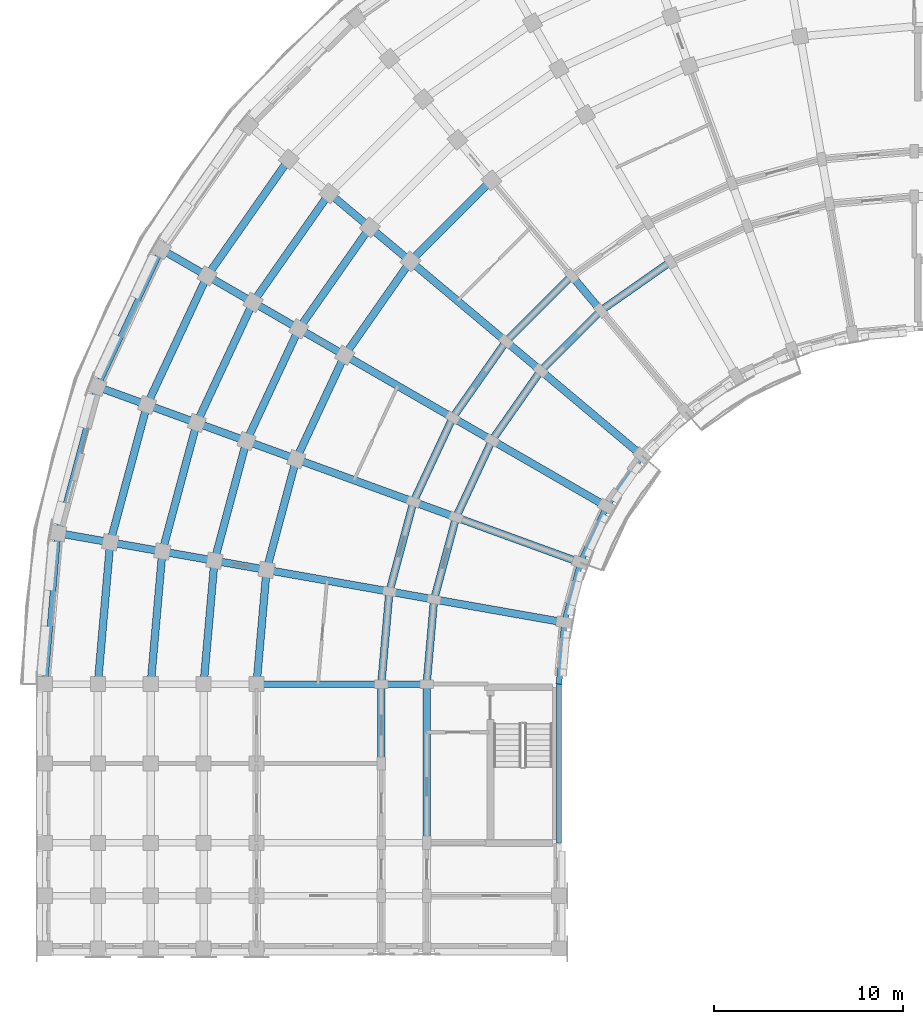
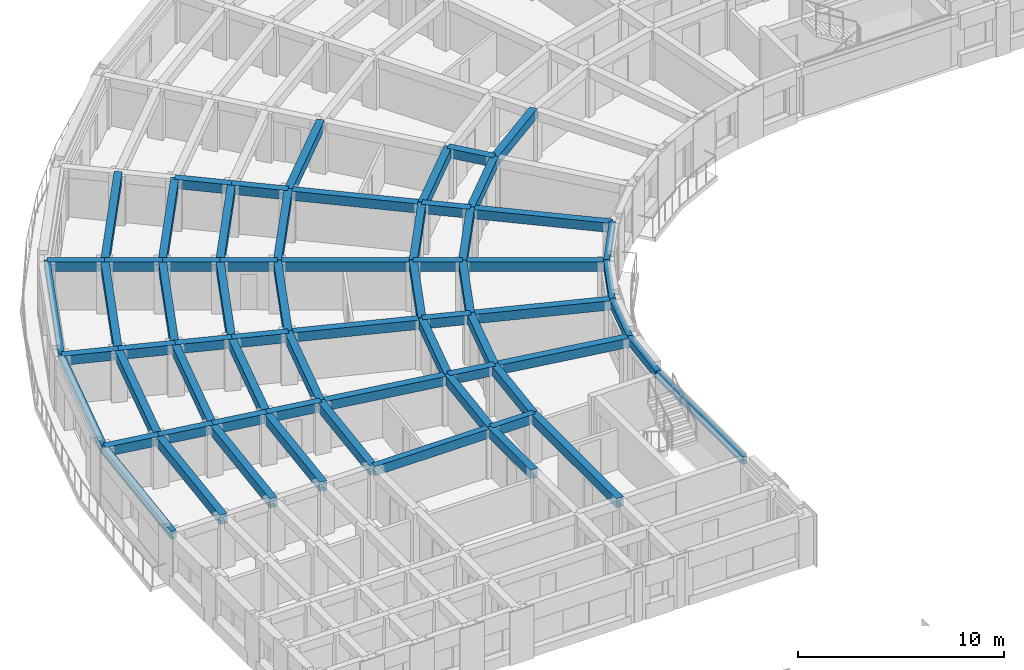
# One storey, part 7 of 54: 67 beams.
"""IFC4 building model written with IfcOpenShell, lengths in metres."""

from ifc_helpers import new_model, si_unit, direction, frame, origin, origin_2d, place, context, subcontext, project, spatial, rectangle, extrude, material, material_profile, profile_set, type_object, element, save


model = new_model("IFC4")

# Units and contexts
model_context = context("Model", 3, precision=1e-05, world=origin(), true_north=direction((0.0, 1.0)))
body_context = subcontext(model_context, "Body", "Model", "MODEL_VIEW")
ifc_project = project(units=[si_unit("LENGTHUNIT", "METRE"), si_unit("AREAUNIT", "SQUARE_METRE"), si_unit("VOLUMEUNIT", "CUBIC_METRE"), si_unit("PLANEANGLEUNIT", "RADIAN"), si_unit("MASSUNIT", "GRAM", prefix="KILO")], contexts=[model_context])

# Site, building, storey
site_placement = place(None, origin())
site = spatial("IfcSite", under=ifc_project, at=site_placement, CompositionType="ELEMENT")
building_placement = place(site_placement, origin())
building = spatial("IfcBuilding", under=site, at=building_placement, Name="Kiranvali Square Residences", CompositionType="ELEMENT")
storey_placement = place(building_placement, frame((0.0, 0.0, 15.0)))
storey = spatial("IfcBuildingStorey", under=building, at=storey_placement, Name="L04", CompositionType="ELEMENT", Elevation=15.0)

# Beams
ifc_material_1 = material(Name="Concrete M40 (40 MPa)", Category="concrete")
ifc_material_profile_1 = material_profile(ifc_material_1, rectangle(XDim=0.35009765625, YDim=0.550048828125, at=origin_2d()), Name="RC 350x550")
ifc_profile_set_1 = profile_set([ifc_material_profile_1], Name="Concrete M40 (40 MPa)")
beam_type_1 = type_object("IfcBeamType", Name="BM-M40-350x550", PredefinedType="BEAM", material=ifc_profile_set_1)
beam_1_placement = place(storey_placement, frame((22.39990234375, 87.800048828125, 2.655029296875), z_axis=(-1.0, 0.0, 0.0), x_axis=(0.0, -1.0, 0.0)))
element("IfcBeam", 1, at=beam_1_placement, inside=storey, type_object=beam_type_1, Name="L04 beam BM-A-L04-A2T0-12", PredefinedType="BEAM", context=body_context, shape_type="SweptSolid", body=[
    extrude(rectangle(XDim=0.35009765625, YDim=0.550048828125, at=origin_2d()), origin(), (0.0, 0.0, 1.0), 2.39990234375),
])
beam_2_placement = place(storey_placement, frame((20.0, 87.800048828125, 2.655029296875), z_axis=(-1.0, 0.0, 0.0), x_axis=(0.0, -1.0, 0.0)))
element("IfcBeam", 2, at=beam_2_placement, inside=storey, type_object=beam_type_1, Name="L04 beam BM-A-L04-A2T0-23", PredefinedType="BEAM", context=body_context, shape_type="SweptSolid", body=[
    extrude(rectangle(XDim=0.35009765625, YDim=0.550048828125, at=origin_2d()), origin(), (0.0, 0.0, 1.0), 6.60009765625),
])
ifc_material_2 = material(Name="Concrete M45 (45 MPa)", Category="concrete")
ifc_material_profile_2 = material_profile(ifc_material_2, rectangle(XDim=0.39990234375, YDim=0.550048828125, at=origin_2d()), Name="RC 400x550")
ifc_profile_set_2 = profile_set([ifc_material_profile_2], Name="Concrete M45 (45 MPa)")
beam_type_2 = type_object("IfcBeamType", Name="BM-M45-400x550", PredefinedType="BEAM", material=ifc_profile_set_2)
beam_3_placement = place(storey_placement, frame((35.300048828125, 110.1435546875, 2.655029296875), z_axis=(-0.819155404658, -0.573571637217, 0.0), x_axis=(0.573571637217, -0.819155404658, 0.0)))
element("IfcBeam", 3, at=beam_3_placement, inside=storey, type_object=beam_type_2, Name="L04 beam BM-A-L04-C03-R1", PredefinedType="BEAM", context=body_context, shape_type="SweptSolid", body=[
    extrude(rectangle(XDim=0.39990234375, YDim=0.550048828125, at=origin_2d()), origin(), (0.0, 0.0, 1.0), 4.497314453125),
])
beam_4_placement = place(storey_placement, frame((31.615966796875, 107.56396484375, 2.655029296875), z_axis=(-0.707106781187, -0.707106781187, 0.0), x_axis=(0.707106781187, -0.707106781187, 0.0)))
element("IfcBeam", 4, at=beam_4_placement, inside=storey, type_object=beam_type_2, Name="L04 beam BM-A-L04-C04-R1", PredefinedType="BEAM", context=body_context, shape_type="SweptSolid", body=[
    extrude(rectangle(XDim=0.39990234375, YDim=0.550048828125, at=origin_2d()), origin(), (0.0, 0.0, 1.0), 4.4970703125),
])
beam_5_placement = place(storey_placement, frame((30.073486328125, 109.40234375, 2.655029296875), z_axis=(-0.707106781187, -0.707106781187, 0.0), x_axis=(0.707106781187, -0.707106781187, 0.0)))
element("IfcBeam", 5, at=beam_5_placement, inside=storey, type_object=beam_type_2, Name="L04 beam BM-A-L04-C04-R2", PredefinedType="BEAM", context=body_context, shape_type="SweptSolid", body=[
    extrude(rectangle(XDim=0.39990234375, YDim=0.550048828125, at=origin_2d()), origin(), (0.0, 0.0, 1.0), 4.91552734375),
])
beam_6_placement = place(storey_placement, frame((25.8310546875, 114.458251953125, 2.655029296875), z_axis=(-0.707106781187, -0.707106781187, 0.0), x_axis=(0.707106781187, -0.707106781187, 0.0)))
element("IfcBeam", 6, at=beam_6_placement, inside=storey, type_object=beam_type_2, Name="L04 beam BM-A-L04-C04-R3", PredefinedType="BEAM", context=body_context, shape_type="SweptSolid", body=[
    extrude(rectangle(XDim=0.39990234375, YDim=0.550048828125, at=origin_2d()), origin(), (0.0, 0.0, 1.0), 6.06591796875),
])
beam_7_placement = place(storey_placement, frame((28.43603515625, 104.384033203125, 2.655029296875), z_axis=(-0.573571637217, -0.819155404658, 0.0), x_axis=(0.819155404658, -0.573571637217, 0.0)))
element("IfcBeam", 7, at=beam_7_placement, inside=storey, type_object=beam_type_2, Name="L04 beam BM-A-L04-C05-R1", PredefinedType="BEAM", context=body_context, shape_type="SweptSolid", body=[
    extrude(rectangle(XDim=0.39990234375, YDim=0.550048828125, at=origin_2d()), origin(), (0.0, 0.0, 1.0), 4.497314453125),
])
beam_8_placement = place(storey_placement, frame((26.59765625, 105.926513671875, 2.655029296875), z_axis=(-0.573592335331, -0.819140911474, 0.0), x_axis=(0.819140911474, -0.573592335331, 0.0)))
element("IfcBeam", 8, at=beam_8_placement, inside=storey, type_object=beam_type_2, Name="L04 beam BM-A-L04-C05-R2", PredefinedType="BEAM", context=body_context, shape_type="SweptSolid", body=[
    extrude(rectangle(XDim=0.39990234375, YDim=0.550048828125, at=origin_2d()), origin(), (0.0, 0.0, 1.0), 4.915771484375),
])
beam_9_placement = place(storey_placement, frame((21.541748046875, 110.1689453125, 2.655029296875), z_axis=(-0.573594691504, -0.81913926159, 0.0), x_axis=(0.81913926159, -0.573594691504, 0.0)))
element("IfcBeam", 9, at=beam_9_placement, inside=storey, type_object=beam_type_2, Name="L04 beam BM-A-L04-C05-R3", PredefinedType="BEAM", context=body_context, shape_type="SweptSolid", body=[
    extrude(rectangle(XDim=0.39990234375, YDim=0.550048828125, at=origin_2d()), origin(), (0.0, 0.0, 1.0), 6.066162109375),
])
beam_10_placement = place(storey_placement, frame((19.396728515625, 111.96875, 2.655029296875), z_axis=(-0.573587340268, -0.819144409176, 0.0), x_axis=(0.819144409176, -0.573587340268, 0.0)))
element("IfcBeam", 10, at=beam_10_placement, inside=storey, type_object=beam_type_2, Name="L04 beam BM-A-L04-C05-R4", PredefinedType="BEAM", context=body_context, shape_type="SweptSolid", body=[
    extrude(rectangle(XDim=0.39990234375, YDim=0.550048828125, at=origin_2d()), origin(), (0.0, 0.0, 1.0), 6.553955078125),
])
beam_11_placement = place(storey_placement, frame((17.251708984375, 113.7685546875, 2.655029296875), z_axis=(-0.57356471828, -0.819160249246, 0.0), x_axis=(0.819160249246, -0.57356471828, 0.0)))
element("IfcBeam", 11, at=beam_11_placement, inside=storey, type_object=beam_type_2, Name="L04 beam BM-A-L04-C05-R5", PredefinedType="BEAM", context=body_context, shape_type="SweptSolid", body=[
    extrude(rectangle(XDim=0.39990234375, YDim=0.550048828125, at=origin_2d()), origin(), (0.0, 0.0, 1.0), 7.0419921875),
])
beam_12_placement = place(storey_placement, frame((15.10693359375, 115.568359375, 2.655029296875), z_axis=(-0.573588539275, -0.819143569597, 0.0), x_axis=(0.819143569597, -0.573588539275, 0.0)))
element("IfcBeam", 12, at=beam_12_placement, inside=storey, type_object=beam_type_2, Name="L04 beam BM-A-L04-C05-R6", PredefinedType="BEAM", context=body_context, shape_type="SweptSolid", body=[
    extrude(rectangle(XDim=0.39990234375, YDim=0.550048828125, at=origin_2d()), origin(), (0.0, 0.0, 1.0), 7.5302734375),
])
beam_13_placement = place(storey_placement, frame((25.8564453125, 100.699951171875, 2.655029296875), z_axis=(-0.422617978463, -0.906307919131, 0.0), x_axis=(0.906307919131, -0.422617978463, 0.0)))
element("IfcBeam", 13, at=beam_13_placement, inside=storey, type_object=beam_type_2, Name="L04 beam BM-A-L04-C06-R1", PredefinedType="BEAM", context=body_context, shape_type="SweptSolid", body=[
    extrude(rectangle(XDim=0.39990234375, YDim=0.550048828125, at=origin_2d()), origin(), (0.0, 0.0, 1.0), 4.497314453125),
])
beam_14_placement = place(storey_placement, frame((23.778076171875, 101.89990234375, 2.655029296875), z_axis=(-0.422629854778, -0.906302381024, 0.0), x_axis=(0.906302381024, -0.422629854778, 0.0)))
element("IfcBeam", 14, at=beam_14_placement, inside=storey, type_object=beam_type_2, Name="L04 beam BM-A-L04-C06-R2", PredefinedType="BEAM", context=body_context, shape_type="SweptSolid", body=[
    extrude(rectangle(XDim=0.39990234375, YDim=0.550048828125, at=origin_2d()), origin(), (0.0, 0.0, 1.0), 4.915283203125),
])
beam_15_placement = place(storey_placement, frame((18.062255859375, 105.199951171875, 2.655029296875), z_axis=(-0.42260781991, -0.906312656069, 0.0), x_axis=(0.906312656069, -0.42260781991, 0.0)))
element("IfcBeam", 15, at=beam_15_placement, inside=storey, type_object=beam_type_2, Name="L04 beam BM-A-L04-C06-R3", PredefinedType="BEAM", context=body_context, shape_type="SweptSolid", body=[
    extrude(rectangle(XDim=0.39990234375, YDim=0.550048828125, at=origin_2d()), origin(), (0.0, 0.0, 1.0), 6.06591796875),
])
beam_16_placement = place(storey_placement, frame((15.637451171875, 106.60009765625, 2.655029296875), z_axis=(-0.422595876255, -0.906318225223, 0.0), x_axis=(0.906318225223, -0.422595876255, 0.0)))
element("IfcBeam", 16, at=beam_16_placement, inside=storey, type_object=beam_type_2, Name="L04 beam BM-A-L04-C06-R4", PredefinedType="BEAM", context=body_context, shape_type="SweptSolid", body=[
    extrude(rectangle(XDim=0.39990234375, YDim=0.550048828125, at=origin_2d()), origin(), (0.0, 0.0, 1.0), 6.55419921875),
])
beam_17_placement = place(storey_placement, frame((13.212646484375, 108.0, 2.655029296875), z_axis=(-0.422640621205, -0.906297360311, 0.0), x_axis=(0.906297360311, -0.422640621205, 0.0)))
element("IfcBeam", 17, at=beam_17_placement, inside=storey, type_object=beam_type_2, Name="L04 beam BM-A-L04-C06-R5", PredefinedType="BEAM", context=body_context, shape_type="SweptSolid", body=[
    extrude(rectangle(XDim=0.39990234375, YDim=0.550048828125, at=origin_2d()), origin(), (0.0, 0.0, 1.0), 7.042236328125),
])
beam_18_placement = place(storey_placement, frame((10.78759765625, 109.39990234375, 2.655029296875), z_axis=(-0.422613886933, -0.90630982703, 0.0), x_axis=(0.90630982703, -0.422613886933, 0.0)))
element("IfcBeam", 18, at=beam_18_placement, inside=storey, type_object=beam_type_2, Name="L04 beam BM-A-L04-C06-R6", PredefinedType="BEAM", context=body_context, shape_type="SweptSolid", body=[
    extrude(rectangle(XDim=0.39990234375, YDim=0.550048828125, at=origin_2d()), origin(), (0.0, 0.0, 1.0), 7.5302734375),
])
beam_19_placement = place(storey_placement, frame((23.955810546875, 96.6240234375, 2.655029296875), z_axis=(-0.258787642463, -0.965934240054, 0.0), x_axis=(0.965934240054, -0.258787642463, 0.0)))
element("IfcBeam", 19, at=beam_19_placement, inside=storey, type_object=beam_type_2, Name="L04 beam BM-A-L04-C07-R1", PredefinedType="BEAM", context=body_context, shape_type="SweptSolid", body=[
    extrude(rectangle(XDim=0.39990234375, YDim=0.550048828125, at=origin_2d()), origin(), (0.0, 0.0, 1.0), 4.497314453125),
])
beam_20_placement = place(storey_placement, frame((21.70068359375, 97.445068359375, 2.655029296875), z_axis=(-0.258803112091, -0.965930095386, 0.0), x_axis=(0.965930095386, -0.258803112091, 0.0)))
element("IfcBeam", 20, at=beam_20_placement, inside=storey, type_object=beam_type_2, Name="L04 beam BM-A-L04-C07-R2", PredefinedType="BEAM", context=body_context, shape_type="SweptSolid", body=[
    extrude(rectangle(XDim=0.39990234375, YDim=0.550048828125, at=origin_2d()), origin(), (0.0, 0.0, 1.0), 4.915771484375),
])
beam_21_placement = place(storey_placement, frame((15.498779296875, 99.702392578125, 2.655029296875), z_axis=(-0.258827283048, -0.965923618901, 0.0), x_axis=(0.965923618901, -0.258827283048, 0.0)))
element("IfcBeam", 21, at=beam_21_placement, inside=storey, type_object=beam_type_2, Name="L04 beam BM-A-L04-C07-R3", PredefinedType="BEAM", context=body_context, shape_type="SweptSolid", body=[
    extrude(rectangle(XDim=0.39990234375, YDim=0.550048828125, at=origin_2d()), origin(), (0.0, 0.0, 1.0), 6.066162109375),
])
beam_22_placement = place(storey_placement, frame((12.86767578125, 100.659912109375, 2.655029296875), z_axis=(-0.258847178297, -0.965918287583, 0.0), x_axis=(0.965918287583, -0.258847178297, 0.0)))
element("IfcBeam", 22, at=beam_22_placement, inside=storey, type_object=beam_type_2, Name="L04 beam BM-A-L04-C07-R4", PredefinedType="BEAM", context=body_context, shape_type="SweptSolid", body=[
    extrude(rectangle(XDim=0.39990234375, YDim=0.550048828125, at=origin_2d()), origin(), (0.0, 0.0, 1.0), 6.55419921875),
])
beam_23_placement = place(storey_placement, frame((10.236328125, 101.61767578125, 2.655029296875), z_axis=(-0.258799624492, -0.965931029817, 0.0), x_axis=(0.965931029817, -0.258799624492, 0.0)))
element("IfcBeam", 23, at=beam_23_placement, inside=storey, type_object=beam_type_2, Name="L04 beam BM-A-L04-C07-R5", PredefinedType="BEAM", context=body_context, shape_type="SweptSolid", body=[
    extrude(rectangle(XDim=0.39990234375, YDim=0.550048828125, at=origin_2d()), origin(), (0.0, 0.0, 1.0), 7.042236328125),
])
beam_24_placement = place(storey_placement, frame((7.605224609375, 102.5751953125, 2.655029296875), z_axis=(-0.258818733833, -0.965925909693, 0.0), x_axis=(0.965925909693, -0.258818733833, 0.0)))
element("IfcBeam", 24, at=beam_24_placement, inside=storey, type_object=beam_type_2, Name="L04 beam BM-A-L04-C07-R6", PredefinedType="BEAM", context=body_context, shape_type="SweptSolid", body=[
    extrude(rectangle(XDim=0.39990234375, YDim=0.550048828125, at=origin_2d()), origin(), (0.0, 0.0, 1.0), 7.5302734375),
])
beam_25_placement = place(storey_placement, frame((22.7919921875, 92.280029296875, 2.655029296875), z_axis=(-0.087187153726, -0.996191949488, 0.0), x_axis=(0.996191949488, -0.087187153726, 0.0)))
element("IfcBeam", 25, at=beam_25_placement, inside=storey, type_object=beam_type_2, Name="L04 beam BM-A-L04-C08-R1", PredefinedType="BEAM", context=body_context, shape_type="SweptSolid", body=[
    extrude(rectangle(XDim=0.39990234375, YDim=0.550048828125, at=origin_2d()), origin(), (0.0, 0.0, 1.0), 4.4970703125),
])
beam_26_placement = place(storey_placement, frame((20.428466796875, 92.69677734375, 2.655029296875), z_axis=(-0.087167566415, -0.996193663584, 0.0), x_axis=(0.996193663584, -0.087167566415, 0.0)))
element("IfcBeam", 26, at=beam_26_placement, inside=storey, type_object=beam_type_2, Name="L04 beam BM-A-L04-C08-R2", PredefinedType="BEAM", context=body_context, shape_type="SweptSolid", body=[
    extrude(rectangle(XDim=0.39990234375, YDim=0.550048828125, at=origin_2d()), origin(), (0.0, 0.0, 1.0), 4.91552734375),
])
beam_27_placement = place(storey_placement, frame((13.9287109375, 93.843017578125, 2.655029296875), z_axis=(-0.087174938512, -0.996193018494, 0.0), x_axis=(0.996193018494, -0.087174938512, 0.0)))
element("IfcBeam", 27, at=beam_27_placement, inside=storey, type_object=beam_type_2, Name="L04 beam BM-A-L04-C08-R3", PredefinedType="BEAM", context=body_context, shape_type="SweptSolid", body=[
    extrude(rectangle(XDim=0.39990234375, YDim=0.550048828125, at=origin_2d()), origin(), (0.0, 0.0, 1.0), 6.066162109375),
])
beam_28_placement = place(storey_placement, frame((11.171142578125, 94.3291015625, 2.655029296875), z_axis=(-0.0871295204, -0.996196991902, 0.0), x_axis=(0.996196991902, -0.0871295204, 0.0)))
element("IfcBeam", 28, at=beam_28_placement, inside=storey, type_object=beam_type_2, Name="L04 beam BM-A-L04-C08-R4", PredefinedType="BEAM", context=body_context, shape_type="SweptSolid", body=[
    extrude(rectangle(XDim=0.39990234375, YDim=0.550048828125, at=origin_2d()), origin(), (0.0, 0.0, 1.0), 6.553955078125),
])
beam_29_placement = place(storey_placement, frame((8.413818359375, 94.8154296875, 2.655029296875), z_axis=(-0.087156198737, -0.996194658198, 0.0), x_axis=(0.996194658198, -0.087156198737, 0.0)))
element("IfcBeam", 29, at=beam_29_placement, inside=storey, type_object=beam_type_2, Name="L04 beam BM-A-L04-C08-R5", PredefinedType="BEAM", context=body_context, shape_type="SweptSolid", body=[
    extrude(rectangle(XDim=0.39990234375, YDim=0.550048828125, at=origin_2d()), origin(), (0.0, 0.0, 1.0), 7.042236328125),
])
beam_30_placement = place(storey_placement, frame((5.65625, 95.301513671875, 2.655029296875), z_axis=(-0.087150058103, -0.996195195417, 0.0), x_axis=(0.996195195417, -0.087150058103, 0.0)))
element("IfcBeam", 30, at=beam_30_placement, inside=storey, type_object=beam_type_2, Name="L04 beam BM-A-L04-C08-R6", PredefinedType="BEAM", context=body_context, shape_type="SweptSolid", body=[
    extrude(rectangle(XDim=0.39990234375, YDim=0.550048828125, at=origin_2d()), origin(), (0.0, 0.0, 1.0), 7.530029296875),
])
beam_31_placement = place(storey_placement, frame((31.615966796875, 107.56396484375, 2.655029296875), z_axis=(-0.642762521781, 0.766065493671, 0.0), x_axis=(-0.766065493671, -0.642762521781, 0.0)))
element("IfcBeam", 31, at=beam_31_placement, inside=storey, type_object=beam_type_2, Name="L04 beam BM-A-L04-RAD04-12", PredefinedType="BEAM", context=body_context, shape_type="SweptSolid", body=[
    extrude(rectangle(XDim=0.39990234375, YDim=0.550048828125, at=origin_2d()), origin(), (0.0, 0.0, 1.0), 2.399658203125),
])
beam_32_placement = place(storey_placement, frame((33.79833984375, 99.884521484375, 2.655029296875), z_axis=(-0.766044173478, 0.642787931032, 0.0), x_axis=(-0.642787931032, -0.766044173478, 0.0)))
element("IfcBeam", 32, at=beam_32_placement, inside=storey, type_object=beam_type_2, Name="L04 beam BM-A-L04-RAD05-01", PredefinedType="BEAM", context=body_context, shape_type="SweptSolid", body=[
    extrude(rectangle(XDim=0.39990234375, YDim=0.550048828125, at=origin_2d()), origin(), (0.0, 0.0, 1.0), 7.0),
])
beam_33_placement = place(storey_placement, frame((28.43603515625, 104.384033203125, 2.655029296875), z_axis=(-0.766065493671, 0.642762521781, 0.0), x_axis=(-0.642762521781, -0.766065493671, 0.0)))
element("IfcBeam", 33, at=beam_33_placement, inside=storey, type_object=beam_type_2, Name="L04 beam BM-A-L04-RAD05-12", PredefinedType="BEAM", context=body_context, shape_type="SweptSolid", body=[
    extrude(rectangle(XDim=0.39990234375, YDim=0.550048828125, at=origin_2d()), origin(), (0.0, 0.0, 1.0), 2.399658203125),
])
beam_34_placement = place(storey_placement, frame((26.59765625, 105.926513671875, 2.655029296875), z_axis=(-0.766042881449, 0.642789470807, 0.0), x_axis=(-0.642789470807, -0.766042881449, 0.0)))
element("IfcBeam", 34, at=beam_34_placement, inside=storey, type_object=beam_type_2, Name="L04 beam BM-A-L04-RAD05-23", PredefinedType="BEAM", context=body_context, shape_type="SweptSolid", body=[
    extrude(rectangle(XDim=0.39990234375, YDim=0.550048828125, at=origin_2d()), origin(), (0.0, 0.0, 1.0), 6.60009765625),
])
for number, where, z_axis, x_axis, name in (
    (35, (21.541748046875, 110.1689453125, 2.655029296875), (-0.766058583359, 0.642770757628, 0.0), (-0.642770757628, -0.766058583359, 0.0), "L04 beam BM-A-L04-RAD05-34"),
    (36, (19.396728515625, 111.96875, 2.655029296875), (-0.766058583359, 0.642770757628, 0.0), (-0.642770757628, -0.766058583359, 0.0), "L04 beam BM-A-L04-RAD05-45"),
):
    element("IfcBeam", number, at=place(storey_placement, frame(where, z_axis=z_axis, x_axis=x_axis)), inside=storey, type_object=beam_type_2, Name=name, PredefinedType="BEAM", context=body_context, shape_type="SweptSolid", body=[
        extrude(rectangle(XDim=0.39990234375, YDim=0.550048828125, at=origin_2d()), origin(), (0.0, 0.0, 1.0), 2.800048828125),
    ])
beam_35_placement = place(storey_placement, frame((31.918701171875, 97.199951171875, 2.655029296875), z_axis=(-0.866028190633, 0.499995173006, 0.0), x_axis=(-0.499995173006, -0.866028190633, 0.0)))
element("IfcBeam", 37, at=beam_35_placement, inside=storey, type_object=beam_type_2, Name="L04 beam BM-A-L04-RAD06-01", PredefinedType="BEAM", context=body_context, shape_type="SweptSolid", body=[
    extrude(rectangle(XDim=0.39990234375, YDim=0.550048828125, at=origin_2d()), origin(), (0.0, 0.0, 1.0), 7.0),
])
beam_36_placement = place(storey_placement, frame((25.8564453125, 100.699951171875, 2.655029296875), z_axis=(-0.866024647952, 0.500001309137, 0.0), x_axis=(-0.500001309137, -0.866024647952, 0.0)))
element("IfcBeam", 38, at=beam_36_placement, inside=storey, type_object=beam_type_2, Name="L04 beam BM-A-L04-RAD06-12", PredefinedType="BEAM", context=body_context, shape_type="SweptSolid", body=[
    extrude(rectangle(XDim=0.39990234375, YDim=0.550048828125, at=origin_2d()), origin(), (0.0, 0.0, 1.0), 2.39990234375),
])
beam_37_placement = place(storey_placement, frame((23.778076171875, 101.89990234375, 2.655029296875), z_axis=(-0.866024194504, 0.500002094529, 0.0), x_axis=(-0.500002094529, -0.866024194504, 0.0)))
element("IfcBeam", 39, at=beam_37_placement, inside=storey, type_object=beam_type_2, Name="L04 beam BM-A-L04-RAD06-23", PredefinedType="BEAM", context=body_context, shape_type="SweptSolid", body=[
    extrude(rectangle(XDim=0.39990234375, YDim=0.550048828125, at=origin_2d()), origin(), (0.0, 0.0, 1.0), 6.60009765625),
])
beam_38_placement = place(storey_placement, frame((18.062255859375, 105.199951171875, 2.655029296875), z_axis=(-0.865996816683, 0.500049511043, 0.0), x_axis=(-0.500049511043, -0.865996816683, 0.0)))
element("IfcBeam", 40, at=beam_38_placement, inside=storey, type_object=beam_type_2, Name="L04 beam BM-A-L04-RAD06-34", PredefinedType="BEAM", context=body_context, shape_type="SweptSolid", body=[
    extrude(rectangle(XDim=0.39990234375, YDim=0.550048828125, at=origin_2d()), origin(), (0.0, 0.0, 1.0), 2.800048828125),
])
beam_39_placement = place(storey_placement, frame((15.637451171875, 106.60009765625, 2.655029296875), z_axis=(-0.866034573852, 0.49998411664, 0.0), x_axis=(-0.49998411664, -0.866034573852, 0.0)))
element("IfcBeam", 41, at=beam_39_placement, inside=storey, type_object=beam_type_2, Name="L04 beam BM-A-L04-RAD06-45", PredefinedType="BEAM", context=body_context, shape_type="SweptSolid", body=[
    extrude(rectangle(XDim=0.39990234375, YDim=0.550048828125, at=origin_2d()), origin(), (0.0, 0.0, 1.0), 2.7998046875),
])
for number, where, z_axis, x_axis, name in (
    (42, (13.212646484375, 108.0, 2.655029296875), (-0.866056369097, 0.49994636267, 0.0), (-0.49994636267, -0.866056369097, 0.0), "L04 beam BM-A-L04-RAD06-56"),
    (43, (10.78759765625, 109.39990234375, 2.655029296875), (-0.865996816683, 0.500049511043, 0.0), (-0.500049511043, -0.865996816683, 0.0), "L04 beam BM-A-L04-RAD06-67"),
):
    element("IfcBeam", number, at=place(storey_placement, frame(where, z_axis=z_axis, x_axis=x_axis)), inside=storey, type_object=beam_type_2, Name=name, PredefinedType="BEAM", context=body_context, shape_type="SweptSolid", body=[
        extrude(rectangle(XDim=0.39990234375, YDim=0.550048828125, at=origin_2d()), origin(), (0.0, 0.0, 1.0), 2.800048828125),
    ])
beam_40_placement = place(storey_placement, frame((30.53369140625, 94.22998046875, 2.655029296875), z_axis=(-0.939697665127, 0.342006283793, 0.0), x_axis=(-0.342006283793, -0.939697665127, 0.0)))
element("IfcBeam", 44, at=beam_40_placement, inside=storey, type_object=beam_type_2, Name="L04 beam BM-A-L04-RAD07-01", PredefinedType="BEAM", context=body_context, shape_type="SweptSolid", body=[
    extrude(rectangle(XDim=0.39990234375, YDim=0.550048828125, at=origin_2d()), origin(), (0.0, 0.0, 1.0), 7.0),
])
beam_41_placement = place(storey_placement, frame((23.955810546875, 96.6240234375, 2.655029296875), z_axis=(-0.939659694648, 0.342110593602, 0.0), x_axis=(-0.342110593602, -0.939659694648, 0.0)))
element("IfcBeam", 45, at=beam_41_placement, inside=storey, type_object=beam_type_2, Name="L04 beam BM-A-L04-RAD07-12", PredefinedType="BEAM", context=body_context, shape_type="SweptSolid", body=[
    extrude(rectangle(XDim=0.39990234375, YDim=0.550048828125, at=origin_2d()), origin(), (0.0, 0.0, 1.0), 2.39990234375),
])
beam_42_placement = place(storey_placement, frame((21.70068359375, 97.445068359375, 2.655029296875), z_axis=(-0.939691858249, 0.342022238372, 0.0), x_axis=(-0.342022238372, -0.939691858249, 0.0)))
element("IfcBeam", 46, at=beam_42_placement, inside=storey, type_object=beam_type_2, Name="L04 beam BM-A-L04-RAD07-23", PredefinedType="BEAM", context=body_context, shape_type="SweptSolid", body=[
    extrude(rectangle(XDim=0.39990234375, YDim=0.550048828125, at=origin_2d()), origin(), (0.0, 0.0, 1.0), 6.599853515625),
])
beam_43_placement = place(storey_placement, frame((15.498779296875, 99.702392578125, 2.655029296875), z_axis=(-0.93970683422, 0.341981089711, 0.0), x_axis=(-0.341981089711, -0.93970683422, 0.0)))
element("IfcBeam", 47, at=beam_43_placement, inside=storey, type_object=beam_type_2, Name="L04 beam BM-A-L04-RAD07-34", PredefinedType="BEAM", context=body_context, shape_type="SweptSolid", body=[
    extrude(rectangle(XDim=0.39990234375, YDim=0.550048828125, at=origin_2d()), origin(), (0.0, 0.0, 1.0), 2.7998046875),
])
beam_44_placement = place(storey_placement, frame((12.86767578125, 100.659912109375, 2.655029296875), z_axis=(-0.939689011208, 0.342030060398, 0.0), x_axis=(-0.342030060398, -0.939689011208, 0.0)))
element("IfcBeam", 48, at=beam_44_placement, inside=storey, type_object=beam_type_2, Name="L04 beam BM-A-L04-RAD07-45", PredefinedType="BEAM", context=body_context, shape_type="SweptSolid", body=[
    extrude(rectangle(XDim=0.39990234375, YDim=0.550048828125, at=origin_2d()), origin(), (0.0, 0.0, 1.0), 2.80029296875),
])
beam_45_placement = place(storey_placement, frame((10.236328125, 101.61767578125, 2.655029296875), z_axis=(-0.93970683422, 0.341981089711, 0.0), x_axis=(-0.341981089711, -0.93970683422, 0.0)))
element("IfcBeam", 49, at=beam_45_placement, inside=storey, type_object=beam_type_2, Name="L04 beam BM-A-L04-RAD07-56", PredefinedType="BEAM", context=body_context, shape_type="SweptSolid", body=[
    extrude(rectangle(XDim=0.39990234375, YDim=0.550048828125, at=origin_2d()), origin(), (0.0, 0.0, 1.0), 2.7998046875),
])
beam_46_placement = place(storey_placement, frame((7.605224609375, 102.5751953125, 2.655029296875), z_axis=(-0.939678810556, 0.342058084236, 0.0), x_axis=(-0.342058084236, -0.939678810556, 0.0)))
element("IfcBeam", 50, at=beam_46_placement, inside=storey, type_object=beam_type_2, Name="L04 beam BM-A-L04-RAD07-67", PredefinedType="BEAM", context=body_context, shape_type="SweptSolid", body=[
    extrude(rectangle(XDim=0.39990234375, YDim=0.550048828125, at=origin_2d()), origin(), (0.0, 0.0, 1.0), 2.800048828125),
])
beam_47_placement = place(storey_placement, frame((29.685546875, 91.064697265625, 2.655029296875), z_axis=(-0.984812337125, 0.173622177865, 0.0), x_axis=(-0.173622177865, -0.984812337125, 0.0)))
element("IfcBeam", 51, at=beam_47_placement, inside=storey, type_object=beam_type_2, Name="L04 beam BM-A-L04-RAD08-01", PredefinedType="BEAM", context=body_context, shape_type="SweptSolid", body=[
    extrude(rectangle(XDim=0.39990234375, YDim=0.550048828125, at=origin_2d()), origin(), (0.0, 0.0, 1.0), 6.999755859375),
])
beam_48_placement = place(storey_placement, frame((22.7919921875, 92.280029296875, 2.655029296875), z_axis=(-0.984808127031, 0.173646056486, 0.0), x_axis=(-0.173646056486, -0.984808127031, 0.0)))
element("IfcBeam", 52, at=beam_48_placement, inside=storey, type_object=beam_type_2, Name="L04 beam BM-A-L04-RAD08-12", PredefinedType="BEAM", context=body_context, shape_type="SweptSolid", body=[
    extrude(rectangle(XDim=0.39990234375, YDim=0.550048828125, at=origin_2d()), origin(), (0.0, 0.0, 1.0), 2.39990234375),
])
beam_49_placement = place(storey_placement, frame((20.428466796875, 92.69677734375, 2.655029296875), z_axis=(-0.984803661269, 0.173671381499, 0.0), x_axis=(-0.173671381499, -0.984803661269, 0.0)))
element("IfcBeam", 53, at=beam_49_placement, inside=storey, type_object=beam_type_2, Name="L04 beam BM-A-L04-RAD08-23", PredefinedType="BEAM", context=body_context, shape_type="SweptSolid", body=[
    extrude(rectangle(XDim=0.39990234375, YDim=0.550048828125, at=origin_2d()), origin(), (0.0, 0.0, 1.0), 6.60009765625),
])
beam_50_placement = place(storey_placement, frame((13.9287109375, 93.843017578125, 2.655029296875), z_axis=(-0.984816895441, 0.173596320392, 0.0), x_axis=(-0.173596320392, -0.984816895441, 0.0)))
element("IfcBeam", 54, at=beam_50_placement, inside=storey, type_object=beam_type_2, Name="L04 beam BM-A-L04-RAD08-34", PredefinedType="BEAM", context=body_context, shape_type="SweptSolid", body=[
    extrude(rectangle(XDim=0.39990234375, YDim=0.550048828125, at=origin_2d()), origin(), (0.0, 0.0, 1.0), 2.800048828125),
])
beam_51_placement = place(storey_placement, frame((11.171142578125, 94.3291015625, 2.655029296875), z_axis=(-0.984799355489, 0.173695795656, 0.0), x_axis=(-0.173695795656, -0.984799355489, 0.0)))
element("IfcBeam", 55, at=beam_51_placement, inside=storey, type_object=beam_type_2, Name="L04 beam BM-A-L04-RAD08-45", PredefinedType="BEAM", context=body_context, shape_type="SweptSolid", body=[
    extrude(rectangle(XDim=0.39990234375, YDim=0.550048828125, at=origin_2d()), origin(), (0.0, 0.0, 1.0), 2.7998046875),
])
beam_52_placement = place(storey_placement, frame((8.413818359375, 94.8154296875, 2.655029296875), z_axis=(-0.984816895441, 0.173596320392, 0.0), x_axis=(-0.173596320392, -0.984816895441, 0.0)))
element("IfcBeam", 56, at=beam_52_placement, inside=storey, type_object=beam_type_2, Name="L04 beam BM-A-L04-RAD08-56", PredefinedType="BEAM", context=body_context, shape_type="SweptSolid", body=[
    extrude(rectangle(XDim=0.39990234375, YDim=0.550048828125, at=origin_2d()), origin(), (0.0, 0.0, 1.0), 2.800048828125),
])
beam_53_placement = place(storey_placement, frame((5.65625, 95.301513671875, 2.655029296875), z_axis=(-0.984799355489, 0.173695795656, 0.0), x_axis=(-0.173695795656, -0.984799355489, 0.0)))
element("IfcBeam", 57, at=beam_53_placement, inside=storey, type_object=beam_type_2, Name="L04 beam BM-A-L04-RAD08-67", PredefinedType="BEAM", context=body_context, shape_type="SweptSolid", body=[
    extrude(rectangle(XDim=0.39990234375, YDim=0.550048828125, at=origin_2d()), origin(), (0.0, 0.0, 1.0), 2.7998046875),
])
beam_54_placement = place(storey_placement, frame((22.39990234375, 87.800048828125, 2.655029296875), z_axis=(0.0, -1.0, 0.0), x_axis=(1.0, 0.0, 0.0)))
element("IfcBeam", 58, at=beam_54_placement, inside=storey, type_object=beam_type_2, Name="L04 beam BM-A-L04-A2V0-R1", PredefinedType="BEAM", context=body_context, shape_type="SweptSolid", body=[
    extrude(rectangle(XDim=0.39990234375, YDim=0.550048828125, at=origin_2d()), origin(), (0.0, 0.0, 1.0), 8.400146484375),
])
beam_55_placement = place(storey_placement, frame((20.0, 87.800048828125, 2.655029296875), z_axis=(0.0, -1.0, 0.0), x_axis=(1.0, 0.0, 0.0)))
element("IfcBeam", 59, at=beam_55_placement, inside=storey, type_object=beam_type_2, Name="L04 beam BM-A-L04-A2V0-R2", PredefinedType="BEAM", context=body_context, shape_type="SweptSolid", body=[
    extrude(rectangle(XDim=0.39990234375, YDim=0.550048828125, at=origin_2d()), origin(), (0.0, 0.0, 1.0), 4.199951171875),
])
ifc_material_profile_3 = material_profile(ifc_material_1, rectangle(XDim=0.25, YDim=0.449951171875, at=origin_2d()), Name="RC 250x450")
ifc_profile_set_3 = profile_set([ifc_material_profile_3], Name="Concrete M40 (40 MPa)")
beam_type_3 = type_object("IfcBeamType", Name="SPN-M40-250x450", PredefinedType="SPANDREL", material=ifc_profile_set_3)
beam_56_placement = place(storey_placement, frame((29.39990234375, 87.800048828125, 2.705078125), z_axis=(0.0, -1.0, 0.0), x_axis=(1.0, 0.0, 0.0)))
element("IfcBeam", 60, at=beam_56_placement, inside=storey, type_object=beam_type_3, Name="L04 beam BM-A-L04-A2V0-R0", PredefinedType="SPANDREL", context=body_context, shape_type="SweptSolid", body=[
    extrude(rectangle(XDim=0.25, YDim=0.449951171875, at=origin_2d()), origin(), (0.0, 0.0, 1.0), 8.400146484375),
])
ifc_material_profile_4 = material_profile(ifc_material_1, rectangle(XDim=0.300048828125, YDim=0.449951171875, at=origin_2d()), Name="RC 300x450")
ifc_profile_set_4 = profile_set([ifc_material_profile_4], Name="Concrete M40 (40 MPa)")
beam_type_4 = type_object("IfcBeamType", Name="SPN-M40-300x450", PredefinedType="SPANDREL", material=ifc_profile_set_4)
for number, where, z_axis, x_axis, name in (
    (61, (33.79833984375, 99.884521484375, 2.705078125), (-0.573552337269, -0.81916891812, 0.0), (0.81916891812, -0.573552337269, 0.0), "L04 beam BM-A-L04-C05-R0"),
    (62, (31.918701171875, 97.199951171875, 2.705078125), (-0.422640740585, -0.90629730464, 0.0), (0.90629730464, -0.422640740585, 0.0), "L04 beam BM-A-L04-C06-R0"),
):
    element("IfcBeam", number, at=place(storey_placement, frame(where, z_axis=z_axis, x_axis=x_axis)), inside=storey, type_object=beam_type_4, Name=name, PredefinedType="SPANDREL", context=body_context, shape_type="SweptSolid", body=[
        extrude(rectangle(XDim=0.300048828125, YDim=0.449951171875, at=origin_2d()), origin(), (0.0, 0.0, 1.0), 3.277099609375),
    ])
beam_57_placement = place(storey_placement, frame((8.36279296875, 110.800048828125, 2.705078125), z_axis=(-0.422615416827, -0.906309113636, 0.0), x_axis=(0.906309113636, -0.422615416827, 0.0)))
element("IfcBeam", 63, at=beam_57_placement, inside=storey, type_object=beam_type_4, Name="L04 beam BM-A-L04-C06-R7", PredefinedType="SPANDREL", context=body_context, shape_type="SweptSolid", body=[
    extrude(rectangle(XDim=0.300048828125, YDim=0.449951171875, at=origin_2d()), origin(), (0.0, 0.0, 1.0), 8.018310546875),
])
beam_58_placement = place(storey_placement, frame((30.53369140625, 94.22998046875, 2.705078125), z_axis=(-0.258821736607, -0.965925105099, 0.0), x_axis=(0.965925105099, -0.258821736607, 0.0)))
element("IfcBeam", 64, at=beam_58_placement, inside=storey, type_object=beam_type_4, Name="L04 beam BM-A-L04-C07-R0", PredefinedType="SPANDREL", context=body_context, shape_type="SweptSolid", body=[
    extrude(rectangle(XDim=0.300048828125, YDim=0.449951171875, at=origin_2d()), origin(), (0.0, 0.0, 1.0), 3.27685546875),
])
beam_59_placement = place(storey_placement, frame((4.97412109375, 103.532958984375, 2.705078125), z_axis=(-0.258807108475, -0.96592902462, 0.0), x_axis=(0.96592902462, -0.258807108475, 0.0)))
element("IfcBeam", 65, at=beam_59_placement, inside=storey, type_object=beam_type_4, Name="L04 beam BM-A-L04-C07-R7", PredefinedType="SPANDREL", context=body_context, shape_type="SweptSolid", body=[
    extrude(rectangle(XDim=0.300048828125, YDim=0.449951171875, at=origin_2d()), origin(), (0.0, 0.0, 1.0), 8.018310546875),
])
beam_60_placement = place(storey_placement, frame((29.685546875, 91.064697265625, 2.705078125), z_axis=(-0.087163253657, -0.996194040944, 0.0), x_axis=(0.996194040944, -0.087163253657, 0.0)))
element("IfcBeam", 66, at=beam_60_placement, inside=storey, type_object=beam_type_4, Name="L04 beam BM-A-L04-C08-R0", PredefinedType="SPANDREL", context=body_context, shape_type="SweptSolid", body=[
    extrude(rectangle(XDim=0.300048828125, YDim=0.449951171875, at=origin_2d()), origin(), (0.0, 0.0, 1.0), 3.277099609375),
])
beam_61_placement = place(storey_placement, frame((2.89892578125, 95.787841796875, 2.705078125), z_axis=(-0.087172238171, -0.996193254792, 0.0), x_axis=(0.996193254792, -0.087172238171, 0.0)))
element("IfcBeam", 67, at=beam_61_placement, inside=storey, type_object=beam_type_4, Name="L04 beam BM-A-L04-C08-R7", PredefinedType="SPANDREL", context=body_context, shape_type="SweptSolid", body=[
    extrude(rectangle(XDim=0.300048828125, YDim=0.449951171875, at=origin_2d()), origin(), (0.0, 0.0, 1.0), 8.018310546875),
])

save(model, "model.ifc")
